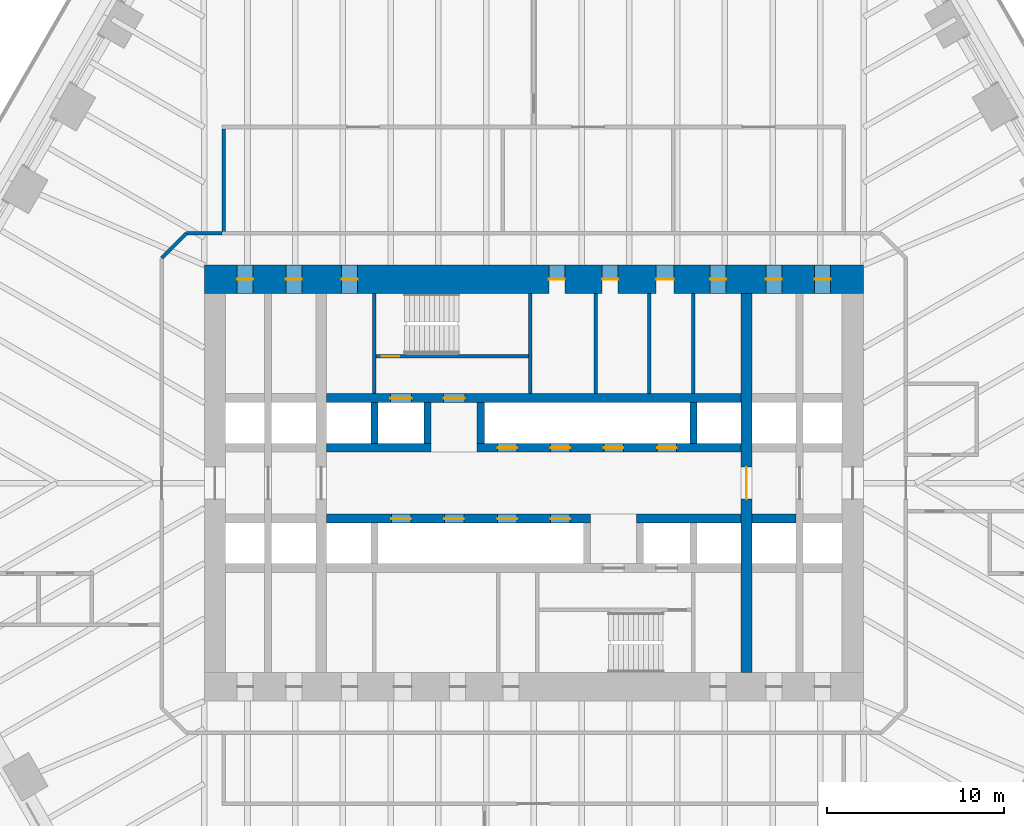
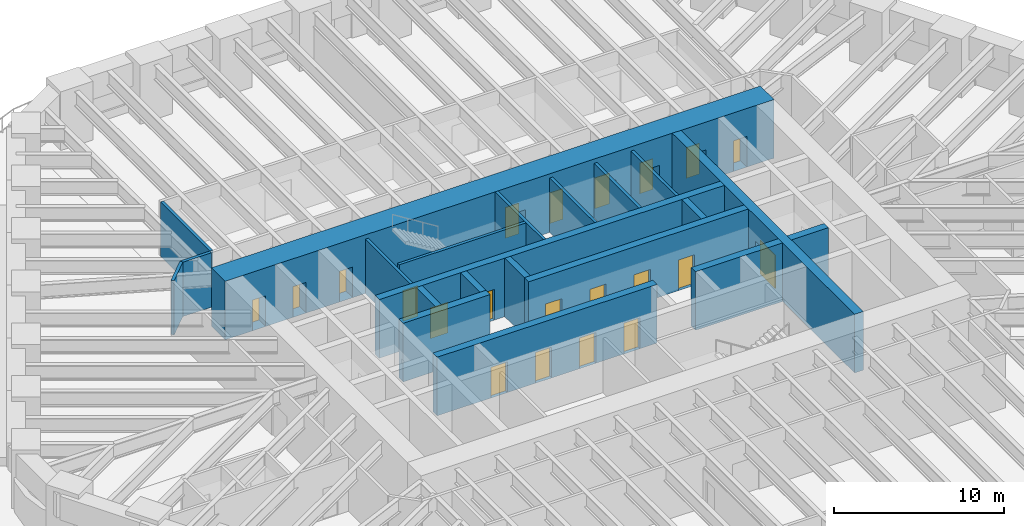
# One storey, part 11 of 16: 21 doors, 21 walls, 21 openings.
"""IFC4 building model written with IfcOpenShell, lengths in metres."""

from ifc_helpers import new_model, si_unit, direction, frame, frame_2d, origin, place, context, subcontext, project, spatial, rectangle, extrude, material, layer, layer_set, type_object, element, fill, save


model = new_model("IFC4")

# Units and contexts
model_context = context("Model", 3, precision=1e-05, world=origin(), true_north=direction((0.0, 1.0)))
body_context = subcontext(model_context, "Body", "Model", "MODEL_VIEW")
ifc_project = project(units=[si_unit("LENGTHUNIT", "METRE"), si_unit("AREAUNIT", "SQUARE_METRE"), si_unit("VOLUMEUNIT", "CUBIC_METRE"), si_unit("PLANEANGLEUNIT", "RADIAN"), si_unit("MASSUNIT", "GRAM", prefix="KILO")], contexts=[model_context])

# Site, building, storey
site_placement = place(None, origin())
site = spatial("IfcSite", under=ifc_project, at=site_placement, CompositionType="ELEMENT")
building_placement = place(site_placement, origin())
building = spatial("IfcBuilding", under=site, at=building_placement, Name="Tarfa Lantern Tower", CompositionType="ELEMENT")
storey_placement = place(building_placement, frame((0.0, 0.0, 103.300048828125)))
storey = spatial("IfcBuildingStorey", under=building, at=storey_placement, Name="L23", CompositionType="ELEMENT", Elevation=103.300048828125)

# Walls
ifc_material_1 = material(Name="Concrete blockwork", Category="masonry")
ifc_layer_1 = layer(ifc_material_1, 0.199951171875)
ifc_layer_set_1 = layer_set([ifc_layer_1], Name="IW1 BLOCKWORK PARTITION 200 EI 120")
wall_type_1 = type_object("IfcWallType", Name="IW1 BLOCKWORK PARTITION 200 EI 120", PredefinedType="PARTITIONING", material=ifc_layer_set_1)
for number, where, z_axis, x_axis, name in (
    (1, (-9.0, 5.050048828125, 0.0), (0.0, 0.0, 1.0), (0.0, 1.0, 0.0), "Core partition"),
    (2, (9.0, 5.050048828125, 0.0), (0.0, 0.0, 1.0), (0.0, 1.0, 0.0), "Core partition"),
    (3, (3.5, 5.050048828125, 0.0), (0.0, 0.0, 1.0), (0.0, 1.0, 0.0), "Core partition"),
    (4, (6.5, 5.050048828125, 0.0), (0.0, 0.0, 1.0), (0.0, 1.0, 0.0), "Core partition"),
):
    element("IfcWall", number, at=place(storey_placement, frame(where, z_axis=z_axis, x_axis=x_axis)), inside=storey, type_object=wall_type_1, Name=name, PredefinedType="PARTITIONING", context=body_context, shape_type="SweptSolid", body=[
        extrude(rectangle(XDim=5.64990234375, YDim=0.199951171875, at=frame_2d((2.824951171875, 0.0))), origin(), (0.0, 0.0, 1.0), 3.89990234375),
    ])
ifc_material_2 = material(Name="Gypsum board on steel studs", Category="steel")
ifc_layer_2 = layer(ifc_material_2, 0.2099609375)
ifc_layer_set_2 = layer_set([ifc_layer_2], Name="IW2 ACOUSTIC PARTITION 200")
wall_type_2 = type_object("IfcWallType", Name="IW2 ACOUSTIC PARTITION 200", PredefinedType="PARTITIONING", material=ifc_layer_set_2)
wall_1_placement = place(storey_placement, frame((-17.5, 14.199951171875, 0.0), z_axis=(0.0, 0.0, 1.0), x_axis=(0.0, 1.0, 0.0)))
element("IfcWall", 5, at=wall_1_placement, inside=storey, type_object=wall_type_2, Name="Partition", PredefinedType="PARTITIONING", context=body_context, shape_type="SweptSolid", body=[
    extrude(rectangle(XDim=5.800048828125, YDim=0.199951171875, at=frame_2d((2.89990234375, 0.0))), origin(), (0.0, 0.0, 1.0), 3.89990234375),
])
wall_2_placement = place(storey_placement, frame((-19.60009765625, 14.10009765625, 0.0), z_axis=(0.0, 0.0, 1.0), x_axis=(1.0, 0.0, 0.0)))
element("IfcWall", 6, at=wall_2_placement, inside=storey, type_object=wall_type_2, Name="Partition", PredefinedType="PARTITIONING", context=body_context, shape_type="SweptSolid", body=[
    extrude(rectangle(XDim=2.0, YDim=0.199951171875, at=frame_2d((1.0, 0.0))), origin(), (0.0, 0.0, 1.0), 3.89990234375),
])
wall_3_placement = place(storey_placement, frame((-21.0, 12.699951171875, 0.0), z_axis=(0.0, 0.0, 1.0), x_axis=(0.707045124756, 0.707168432242, 0.0)))
element("IfcWall", 7, at=wall_3_placement, inside=storey, type_object=wall_type_2, Name="Partition", PredefinedType="PARTITIONING", context=body_context, shape_type="SweptSolid", body=[
    extrude(rectangle(XDim=1.97998046875, YDim=0.199951171875, at=frame_2d((0.989990234375, 0.0))), origin(), (0.0, 0.0, 1.0), 3.89990234375),
])
ifc_material_3 = material(Name="Concrete C80/95", Category="concrete")
ifc_layer_3 = layer(ifc_material_3, 0.199951171875)
ifc_layer_set_3 = layer_set([ifc_layer_3], Name="SW12 CORE WALL 200")
wall_type_3 = type_object("IfcWallType", Name="SW12 CORE WALL 200", PredefinedType="SHEAR", material=ifc_layer_set_3)
wall_4_placement = place(storey_placement, frame((-0.199951171875, 5.050048828125, 0.0), z_axis=(0.0, 0.0, 1.0), x_axis=(0.0, 1.0, 0.0)))
element("IfcWall", 8, at=wall_4_placement, inside=storey, type_object=wall_type_3, Name="Core wall stair shaft N", PredefinedType="SHEAR", context=body_context, shape_type="SweptSolid", body=[
    extrude(rectangle(XDim=5.64990234375, YDim=0.199951171875, at=frame_2d((2.824951171875, 0.0))), origin(), (0.0, 0.0, 1.0), 4.199951171875),
])

# Wall, opening, door
wall_5_placement = place(storey_placement, frame((-8.89990234375, 7.14990234375, 0.0), z_axis=(0.0, 0.0, 1.0), x_axis=(1.0, 0.0, 0.0)))
wall_5 = element("IfcWall", 9, at=wall_5_placement, inside=storey, type_object=wall_type_3, Name="Core wall stair partition N", PredefinedType="SHEAR", context=body_context, shape_type="SweptSolid", body=[
    extrude(rectangle(XDim=8.599853515625, YDim=0.199951171875, at=frame_2d((4.2998046875, 0.0))), origin(), (0.0, 0.0, 1.0), 4.199951171875),
])
opening_1_placement = place(wall_5_placement, frame((0.300048828125, 0.0, 0.0)))
opening_1 = element("IfcOpeningElement", 10, at=opening_1_placement, cuts=wall_5, Name="Opening D23", PredefinedType="OPENING", context=body_context, shape_type="SweptSolid", body=[
    extrude(rectangle(XDim=1.0, YDim=2.199951171875, at=frame_2d((0.5, 1.10009765625))), frame((0.0, 0.10986328125, 0.0), z_axis=(0.0, -1.0, 0.0), x_axis=(1.0, 0.0, 0.0)), (0.0, 0.0, 1.0), 0.219970703125),
])
ifc_material_4 = material(Name="Steel fire door", Category="steel")
door_type_1 = type_object("IfcDoorType", Name="DF2 STAIR DOOR 1000x2200", OperationType="SINGLE_SWING_LEFT", PredefinedType="DOOR", material=ifc_material_4)
door_1_placement = place(opening_1_placement, origin())
door_1 = element("IfcDoor", 11, at=door_1_placement, inside=storey, type_object=door_type_1, Name="Stair door", OperationType="SINGLE_SWING_RIGHT", OverallHeight=2.199951171875, OverallWidth=1.0, PredefinedType="DOOR", context=body_context, shape_type="SweptSolid", body=[
    extrude(rectangle(XDim=1.0, YDim=2.199951171875, at=frame_2d((0.5, 1.10009765625))), frame((0.0, 0.02490234375, 0.0), z_axis=(0.0, -1.0, 0.0), x_axis=(1.0, 0.0, 0.0)), (0.0, 0.0, 1.0), 0.050048828125),
])
fill(opening_1, door_1)

# Wall
ifc_layer_4 = layer(ifc_material_3, 0.5)
ifc_layer_set_4 = layer_set([ifc_layer_4], Name="SW5 CORE WALL 500")
wall_type_4 = type_object("IfcWallType", Name="SW5 CORE WALL 500", PredefinedType="SHEAR", material=ifc_layer_set_4)
wall_6_placement = place(storey_placement, frame((-11.699951171875, 2.0, 0.0), z_axis=(0.0, 0.0, 1.0), x_axis=(1.0, 0.0, 0.0)))
element("IfcWall", 12, at=wall_6_placement, inside=storey, type_object=wall_type_4, Name="Core wall lobby west N", PredefinedType="SHEAR", context=body_context, shape_type="SweptSolid", body=[
    extrude(rectangle(XDim=5.89990234375, YDim=0.5, at=frame_2d((2.949951171875, 0.0))), origin(), (0.0, 0.0, 1.0), 4.199951171875),
])

# Wall, openings, doors
wall_7_placement = place(storey_placement, frame((-3.199951171875, 2.0, 0.0), z_axis=(0.0, 0.0, 1.0), x_axis=(1.0, 0.0, 0.0)))
wall_7 = element("IfcWall", 13, at=wall_7_placement, inside=storey, type_object=wall_type_4, Name="Core wall lobby east N", PredefinedType="SHEAR", context=body_context, shape_type="SweptSolid", body=[
    extrude(rectangle(XDim=14.89990234375, YDim=0.5, at=frame_2d((7.449951171875, 0.0))), origin(), (0.0, 0.0, 1.0), 4.199951171875),
])
opening_2_placement = place(wall_7_placement, frame((1.14990234375, 0.0, 0.0)))
opening_2 = element("IfcOpeningElement", 14, at=opening_2_placement, cuts=wall_7, Name="Opening LD03", PredefinedType="OPENING", context=body_context, shape_type="SweptSolid", body=[
    extrude(rectangle(XDim=1.10009765625, YDim=2.199951171875, at=frame_2d((0.550048828125, 1.10009765625))), frame((0.0, 0.260009765625, 0.0), z_axis=(0.0, -1.0, 0.0), x_axis=(1.0, 0.0, 0.0)), (0.0, 0.0, 1.0), 0.52001953125),
])
opening_3_placement = place(wall_7_placement, frame((4.14990234375, 0.0, 0.0)))
opening_3 = element("IfcOpeningElement", 15, at=opening_3_placement, cuts=wall_7, Name="Opening LD04", PredefinedType="OPENING", context=body_context, shape_type="SweptSolid", body=[
    extrude(rectangle(XDim=1.10009765625, YDim=2.199951171875, at=frame_2d((0.550048828125, 1.10009765625))), frame((0.0, 0.260009765625, 0.0), z_axis=(0.0, -1.0, 0.0), x_axis=(1.0, 0.0, 0.0)), (0.0, 0.0, 1.0), 0.52001953125),
])
opening_4_placement = place(wall_7_placement, frame((7.14990234375, 0.0, 0.0)))
opening_4 = element("IfcOpeningElement", 16, at=opening_4_placement, cuts=wall_7, Name="Opening LD05", PredefinedType="OPENING", context=body_context, shape_type="SweptSolid", body=[
    extrude(rectangle(XDim=1.10009765625, YDim=2.199951171875, at=frame_2d((0.550048828125, 1.10009765625))), frame((0.0, 0.260009765625, 0.0), z_axis=(0.0, -1.0, 0.0), x_axis=(1.0, 0.0, 0.0)), (0.0, 0.0, 1.0), 0.52001953125),
])
opening_5_placement = place(wall_7_placement, frame((10.14990234375, 0.0, 0.0)))
opening_5 = element("IfcOpeningElement", 17, at=opening_5_placement, cuts=wall_7, Name="Opening LD06", PredefinedType="OPENING", context=body_context, shape_type="SweptSolid", body=[
    extrude(rectangle(XDim=1.10009765625, YDim=2.199951171875, at=frame_2d((0.550048828125, 1.10009765625))), frame((0.0, 0.260009765625, 0.0), z_axis=(0.0, -1.0, 0.0), x_axis=(1.0, 0.0, 0.0)), (0.0, 0.0, 1.0), 0.52001953125),
])
ifc_material_5 = material(Name="Stainless steel lift door", Category="steel")
door_type_2 = type_object("IfcDoorType", Name="LD2 LIFT LANDING DOOR 1100x2200", OperationType="SLIDING_TO_LEFT", PredefinedType="DOOR", material=ifc_material_5)
door_2_placement = place(opening_2_placement, frame((1.10009765625, 0.0, 0.0), z_axis=(0.0, 0.0, 1.0), x_axis=(-1.0, 0.0, 0.0)))
door_2 = element("IfcDoor", 18, at=door_2_placement, inside=storey, type_object=door_type_2, Name="Landing door PA1", OperationType="SLIDING_TO_LEFT", OverallHeight=2.199951171875, OverallWidth=1.10009765625, PredefinedType="DOOR", context=body_context, shape_type="SweptSolid", body=[
    extrude(rectangle(XDim=1.10009765625, YDim=2.199951171875, at=frame_2d((0.550048828125, 1.10009765625))), frame((0.0, 0.02490234375, 0.0), z_axis=(0.0, -1.0, 0.0), x_axis=(1.0, 0.0, 0.0)), (0.0, 0.0, 1.0), 0.050048828125),
])
fill(opening_2, door_2)
door_3_placement = place(opening_3_placement, frame((1.10009765625, 0.0, 0.0), z_axis=(0.0, 0.0, 1.0), x_axis=(-1.0, 0.0, 0.0)))
door_3 = element("IfcDoor", 19, at=door_3_placement, inside=storey, type_object=door_type_2, Name="Landing door PA2", OperationType="SLIDING_TO_LEFT", OverallHeight=2.199951171875, OverallWidth=1.10009765625, PredefinedType="DOOR", context=body_context, shape_type="SweptSolid", body=[
    extrude(rectangle(XDim=1.10009765625, YDim=2.199951171875, at=frame_2d((0.550048828125, 1.10009765625))), frame((0.0, 0.02490234375, 0.0), z_axis=(0.0, -1.0, 0.0), x_axis=(1.0, 0.0, 0.0)), (0.0, 0.0, 1.0), 0.050048828125),
])
fill(opening_3, door_3)
door_4_placement = place(opening_4_placement, frame((1.10009765625, 0.0, 0.0), z_axis=(0.0, 0.0, 1.0), x_axis=(-1.0, 0.0, 0.0)))
door_4 = element("IfcDoor", 20, at=door_4_placement, inside=storey, type_object=door_type_2, Name="Landing door PA3", OperationType="SLIDING_TO_LEFT", OverallHeight=2.199951171875, OverallWidth=1.10009765625, PredefinedType="DOOR", context=body_context, shape_type="SweptSolid", body=[
    extrude(rectangle(XDim=1.10009765625, YDim=2.199951171875, at=frame_2d((0.550048828125, 1.10009765625))), frame((0.0, 0.02490234375, 0.0), z_axis=(0.0, -1.0, 0.0), x_axis=(1.0, 0.0, 0.0)), (0.0, 0.0, 1.0), 0.050048828125),
])
fill(opening_4, door_4)
door_5_placement = place(opening_5_placement, frame((1.10009765625, 0.0, 0.0), z_axis=(0.0, 0.0, 1.0), x_axis=(-1.0, 0.0, 0.0)))
door_5 = element("IfcDoor", 21, at=door_5_placement, inside=storey, type_object=door_type_2, Name="Landing door PA4", OperationType="SLIDING_TO_LEFT", OverallHeight=2.199951171875, OverallWidth=1.10009765625, PredefinedType="DOOR", context=body_context, shape_type="SweptSolid", body=[
    extrude(rectangle(XDim=1.10009765625, YDim=2.199951171875, at=frame_2d((0.550048828125, 1.10009765625))), frame((0.0, 0.02490234375, 0.0), z_axis=(0.0, -1.0, 0.0), x_axis=(1.0, 0.0, 0.0)), (0.0, 0.0, 1.0), 0.050048828125),
])
fill(opening_5, door_5)

wall_8_placement = place(storey_placement, frame((-11.699951171875, 4.800048828125, 0.0), z_axis=(0.0, 0.0, 1.0), x_axis=(1.0, 0.0, 0.0)))
wall_8 = element("IfcWall", 22, at=wall_8_placement, inside=storey, type_object=wall_type_4, Name="Core wall rear N", PredefinedType="SHEAR", context=body_context, shape_type="SweptSolid", body=[
    extrude(rectangle(XDim=23.39990234375, YDim=0.5, at=frame_2d((11.699951171875, 0.0))), origin(), (0.0, 0.0, 1.0), 4.199951171875),
])
opening_6_placement = place(wall_8_placement, frame((6.60009765625, 0.0, 0.0)))
opening_6 = element("IfcOpeningElement", 23, at=opening_6_placement, cuts=wall_8, Name="Opening D13", PredefinedType="OPENING", context=body_context, shape_type="SweptSolid", body=[
    extrude(rectangle(XDim=1.199951171875, YDim=2.199951171875, at=frame_2d((0.60009765625, 1.10009765625))), frame((0.0, 0.260009765625, 0.0), z_axis=(0.0, -1.0, 0.0), x_axis=(1.0, 0.0, 0.0)), (0.0, 0.0, 1.0), 0.52001953125),
])
opening_7_placement = place(wall_8_placement, frame((3.60009765625, 0.0, 0.0)))
opening_7 = element("IfcOpeningElement", 24, at=opening_7_placement, cuts=wall_8, Name="Opening LD01", PredefinedType="OPENING", context=body_context, shape_type="SweptSolid", body=[
    extrude(rectangle(XDim=1.199951171875, YDim=2.199951171875, at=frame_2d((0.60009765625, 1.10009765625))), frame((0.0, 0.260009765625, 0.0), z_axis=(0.0, -1.0, 0.0), x_axis=(1.0, 0.0, 0.0)), (0.0, 0.0, 1.0), 0.52001953125),
])
door_type_3 = type_object("IfcDoorType", Name="DF1 FIREFIGHTING LOBBY DOOR 1200x2200", OperationType="SINGLE_SWING_LEFT", PredefinedType="DOOR", material=ifc_material_4)
door_6_placement = place(opening_6_placement, origin())
door_6 = element("IfcDoor", 25, at=door_6_placement, inside=storey, type_object=door_type_3, Name="Firefighting lobby door", OperationType="SINGLE_SWING_LEFT", OverallHeight=2.199951171875, OverallWidth=1.199951171875, PredefinedType="DOOR", context=body_context, shape_type="SweptSolid", body=[
    extrude(rectangle(XDim=1.199951171875, YDim=2.199951171875, at=frame_2d((0.60009765625, 1.10009765625))), frame((0.0, 0.02490234375, 0.0), z_axis=(0.0, -1.0, 0.0), x_axis=(1.0, 0.0, 0.0)), (0.0, 0.0, 1.0), 0.050048828125),
])
fill(opening_6, door_6)
door_type_4 = type_object("IfcDoorType", Name="LD1 LIFT LANDING DOOR 1200x2200", OperationType="SLIDING_TO_LEFT", PredefinedType="DOOR", material=ifc_material_5)
door_7_placement = place(opening_7_placement, origin())
door_7 = element("IfcDoor", 26, at=door_7_placement, inside=storey, type_object=door_type_4, Name="Landing door FL1", OperationType="SLIDING_TO_LEFT", OverallHeight=2.199951171875, OverallWidth=1.199951171875, PredefinedType="DOOR", context=body_context, shape_type="SweptSolid", body=[
    extrude(rectangle(XDim=1.199951171875, YDim=2.199951171875, at=frame_2d((0.60009765625, 1.10009765625))), frame((0.0, 0.02490234375, 0.0), z_axis=(0.0, -1.0, 0.0), x_axis=(1.0, 0.0, 0.0)), (0.0, 0.0, 1.0), 0.050048828125),
])
fill(opening_7, door_7)

# Walls
wall_9_placement = place(storey_placement, frame((14.800048828125, -2.0, 0.0), z_axis=(0.0, 0.0, 1.0), x_axis=(-1.0, 0.0, 0.0)))
element("IfcWall", 27, at=wall_9_placement, inside=storey, type_object=wall_type_4, Name="Core wall lobby west S", PredefinedType="SHEAR", context=body_context, shape_type="SweptSolid", body=[
    extrude(rectangle(XDim=2.5, YDim=0.5, at=frame_2d((1.25, 0.0))), origin(), (0.0, 0.0, 1.0), 4.199951171875),
])
wall_10_placement = place(storey_placement, frame((11.699951171875, -2.0, 0.0), z_axis=(0.0, 0.0, 1.0), x_axis=(-1.0, 0.0, 0.0)))
element("IfcWall", 28, at=wall_10_placement, inside=storey, type_object=wall_type_4, Name="Core wall lobby west S", PredefinedType="SHEAR", context=body_context, shape_type="SweptSolid", body=[
    extrude(rectangle(XDim=5.89990234375, YDim=0.5, at=frame_2d((2.949951171875, 0.0))), origin(), (0.0, 0.0, 1.0), 4.199951171875),
])

# Wall, openings, doors
wall_11_placement = place(storey_placement, frame((3.199951171875, -2.0, 0.0), z_axis=(0.0, 0.0, 1.0), x_axis=(-1.0, 0.0, 0.0)))
wall_11 = element("IfcWall", 29, at=wall_11_placement, inside=storey, type_object=wall_type_4, Name="Core wall lobby east S", PredefinedType="SHEAR", context=body_context, shape_type="SweptSolid", body=[
    extrude(rectangle(XDim=14.89990234375, YDim=0.5, at=frame_2d((7.449951171875, 0.0))), origin(), (0.0, 0.0, 1.0), 4.199951171875),
])
opening_8_placement = place(wall_11_placement, frame((1.14990234375, 0.0, 0.0)))
opening_8 = element("IfcOpeningElement", 30, at=opening_8_placement, cuts=wall_11, Name="Opening LD07", PredefinedType="OPENING", context=body_context, shape_type="SweptSolid", body=[
    extrude(rectangle(XDim=1.10009765625, YDim=2.199951171875, at=frame_2d((0.550048828125, 1.10009765625))), frame((0.0, 0.260009765625, 0.0), z_axis=(0.0, -1.0, 0.0), x_axis=(1.0, 0.0, 0.0)), (0.0, 0.0, 1.0), 0.52001953125),
])
opening_9_placement = place(wall_11_placement, frame((4.14990234375, 0.0, 0.0)))
opening_9 = element("IfcOpeningElement", 31, at=opening_9_placement, cuts=wall_11, Name="Opening LD08", PredefinedType="OPENING", context=body_context, shape_type="SweptSolid", body=[
    extrude(rectangle(XDim=1.10009765625, YDim=2.199951171875, at=frame_2d((0.550048828125, 1.10009765625))), frame((0.0, 0.260009765625, 0.0), z_axis=(0.0, -1.0, 0.0), x_axis=(1.0, 0.0, 0.0)), (0.0, 0.0, 1.0), 0.52001953125),
])
opening_10_placement = place(wall_11_placement, frame((7.14990234375, 0.0, 0.0)))
opening_10 = element("IfcOpeningElement", 32, at=opening_10_placement, cuts=wall_11, Name="Opening LD09", PredefinedType="OPENING", context=body_context, shape_type="SweptSolid", body=[
    extrude(rectangle(XDim=1.10009765625, YDim=2.199951171875, at=frame_2d((0.550048828125, 1.10009765625))), frame((0.0, 0.260009765625, 0.0), z_axis=(0.0, -1.0, 0.0), x_axis=(1.0, 0.0, 0.0)), (0.0, 0.0, 1.0), 0.52001953125),
])
opening_11_placement = place(wall_11_placement, frame((10.14990234375, 0.0, 0.0)))
opening_11 = element("IfcOpeningElement", 33, at=opening_11_placement, cuts=wall_11, Name="Opening LD10", PredefinedType="OPENING", context=body_context, shape_type="SweptSolid", body=[
    extrude(rectangle(XDim=1.10009765625, YDim=2.199951171875, at=frame_2d((0.550048828125, 1.10009765625))), frame((0.0, 0.260009765625, 0.0), z_axis=(0.0, -1.0, 0.0), x_axis=(1.0, 0.0, 0.0)), (0.0, 0.0, 1.0), 0.52001953125),
])
door_8_placement = place(opening_8_placement, frame((1.10009765625, 0.0, 0.0), z_axis=(0.0, 0.0, 1.0), x_axis=(-1.0, 0.0, 0.0)))
door_8 = element("IfcDoor", 34, at=door_8_placement, inside=storey, type_object=door_type_2, Name="Landing door PA5", OperationType="SLIDING_TO_LEFT", OverallHeight=2.199951171875, OverallWidth=1.10009765625, PredefinedType="DOOR", context=body_context, shape_type="SweptSolid", body=[
    extrude(rectangle(XDim=1.10009765625, YDim=2.199951171875, at=frame_2d((0.550048828125, 1.10009765625))), frame((0.0, 0.02490234375, 0.0), z_axis=(0.0, -1.0, 0.0), x_axis=(1.0, 0.0, 0.0)), (0.0, 0.0, 1.0), 0.050048828125),
])
fill(opening_8, door_8)
door_9_placement = place(opening_9_placement, frame((1.10009765625, 0.0, 0.0), z_axis=(0.0, 0.0, 1.0), x_axis=(-1.0, 0.0, 0.0)))
door_9 = element("IfcDoor", 35, at=door_9_placement, inside=storey, type_object=door_type_2, Name="Landing door PA6", OperationType="SLIDING_TO_LEFT", OverallHeight=2.199951171875, OverallWidth=1.10009765625, PredefinedType="DOOR", context=body_context, shape_type="SweptSolid", body=[
    extrude(rectangle(XDim=1.10009765625, YDim=2.199951171875, at=frame_2d((0.550048828125, 1.10009765625))), frame((0.0, 0.02490234375, 0.0), z_axis=(0.0, -1.0, 0.0), x_axis=(1.0, 0.0, 0.0)), (0.0, 0.0, 1.0), 0.050048828125),
])
fill(opening_9, door_9)
door_10_placement = place(opening_10_placement, frame((1.10009765625, 0.0, 0.0), z_axis=(0.0, 0.0, 1.0), x_axis=(-1.0, 0.0, 0.0)))
door_10 = element("IfcDoor", 36, at=door_10_placement, inside=storey, type_object=door_type_2, Name="Landing door PA7", OperationType="SLIDING_TO_LEFT", OverallHeight=2.199951171875, OverallWidth=1.10009765625, PredefinedType="DOOR", context=body_context, shape_type="SweptSolid", body=[
    extrude(rectangle(XDim=1.10009765625, YDim=2.199951171875, at=frame_2d((0.550048828125, 1.10009765625))), frame((0.0, 0.02490234375, 0.0), z_axis=(0.0, -1.0, 0.0), x_axis=(1.0, 0.0, 0.0)), (0.0, 0.0, 1.0), 0.050048828125),
])
fill(opening_10, door_10)
door_11_placement = place(opening_11_placement, frame((1.10009765625, 0.0, 0.0), z_axis=(0.0, 0.0, 1.0), x_axis=(-1.0, 0.0, 0.0)))
door_11 = element("IfcDoor", 37, at=door_11_placement, inside=storey, type_object=door_type_2, Name="Landing door PA8", OperationType="SLIDING_TO_LEFT", OverallHeight=2.199951171875, OverallWidth=1.10009765625, PredefinedType="DOOR", context=body_context, shape_type="SweptSolid", body=[
    extrude(rectangle(XDim=1.10009765625, YDim=2.199951171875, at=frame_2d((0.550048828125, 1.10009765625))), frame((0.0, 0.02490234375, 0.0), z_axis=(0.0, -1.0, 0.0), x_axis=(1.0, 0.0, 0.0)), (0.0, 0.0, 1.0), 0.050048828125),
])
fill(opening_11, door_11)

# Walls
ifc_layer_5 = layer(ifc_material_3, 0.39990234375)
ifc_layer_set_5 = layer_set([ifc_layer_5], Name="SW6 CORE WALL 400")
wall_type_5 = type_object("IfcWallType", Name="SW6 CORE WALL 400", PredefinedType="SHEAR", material=ifc_layer_set_5)
for number, where, z_axis, x_axis, name in (
    (38, (-9.0, 2.25, 0.0), (0.0, 0.0, 1.0), (0.0, 1.0, 0.0), "Core wall divider N"),
    (39, (-6.0, 2.25, 0.0), (0.0, 0.0, 1.0), (0.0, 1.0, 0.0), "Core wall divider N"),
    (40, (-3.0, 2.25, 0.0), (0.0, 0.0, 1.0), (0.0, 1.0, 0.0), "Core wall divider N"),
    (41, (9.0, 2.25, 0.0), (0.0, 0.0, 1.0), (0.0, 1.0, 0.0), "Core wall divider N"),
):
    element("IfcWall", number, at=place(storey_placement, frame(where, z_axis=z_axis, x_axis=x_axis)), inside=storey, type_object=wall_type_5, Name=name, PredefinedType="SHEAR", context=body_context, shape_type="SweptSolid", body=[
        extrude(rectangle(XDim=2.300048828125, YDim=0.39990234375, at=frame_2d((1.14990234375, 0.0))), origin(), (0.0, 0.0, 1.0), 4.199951171875),
    ])

# Wall, openings, doors
ifc_layer_6 = layer(ifc_material_3, 1.60009765625)
ifc_layer_set_6 = layer_set([ifc_layer_6], Name="SW7 CORE WALL 1600")
wall_type_6 = type_object("IfcWallType", Name="SW7 CORE WALL 1600", PredefinedType="SHEAR", material=ifc_layer_set_6)
wall_12_placement = place(storey_placement, frame((-18.60009765625, 11.5, 0.0), z_axis=(0.0, 0.0, 1.0), x_axis=(1.0, 0.0, 0.0)))
wall_12 = element("IfcWall", 42, at=wall_12_placement, inside=storey, type_object=wall_type_6, Name="Core wall N", PredefinedType="SHEAR", context=body_context, shape_type="SweptSolid", body=[
    extrude(rectangle(XDim=37.2001953125, YDim=1.60009765625, at=frame_2d((18.60009765625, 0.0))), origin(), (0.0, 0.0, 1.0), 4.199951171875),
])
opening_12_placement = place(wall_12_placement, frame((19.449951171875, 0.0, 0.0)))
opening_12 = element("IfcOpeningElement", 43, at=opening_12_placement, cuts=wall_12, Name="Opening D17", PredefinedType="OPENING", context=body_context, shape_type="SweptSolid", body=[
    extrude(rectangle(XDim=0.89990234375, YDim=2.199951171875, at=frame_2d((0.449951171875, 1.10009765625))), frame((0.0, 0.81005859375, 0.0), z_axis=(0.0, -1.0, 0.0), x_axis=(1.0, 0.0, 0.0)), (0.0, 0.0, 1.0), 1.6201171875),
])
opening_13_placement = place(wall_12_placement, frame((22.449951171875, 0.0, 0.0)))
opening_13 = element("IfcOpeningElement", 44, at=opening_13_placement, cuts=wall_12, Name="Opening D19", PredefinedType="OPENING", context=body_context, shape_type="SweptSolid", body=[
    extrude(rectangle(XDim=0.89990234375, YDim=2.199951171875, at=frame_2d((0.449951171875, 1.10009765625))), frame((0.0, 0.81005859375, 0.0), z_axis=(0.0, -1.0, 0.0), x_axis=(1.0, 0.0, 0.0)), (0.0, 0.0, 1.0), 1.6201171875),
])
opening_14_placement = place(wall_12_placement, frame((25.5, 0.0, 0.0)))
opening_14 = element("IfcOpeningElement", 45, at=opening_14_placement, cuts=wall_12, Name="Opening D21", PredefinedType="OPENING", context=body_context, shape_type="SweptSolid", body=[
    extrude(rectangle(XDim=1.0, YDim=2.199951171875, at=frame_2d((0.5, 1.10009765625))), frame((0.0, 0.81005859375, 0.0), z_axis=(0.0, -1.0, 0.0), x_axis=(1.0, 0.0, 0.0)), (0.0, 0.0, 1.0), 1.6201171875),
])
opening_15_placement = place(wall_12_placement, frame((1.85009765625, 0.0, 0.0)))
opening_15 = element("IfcOpeningElement", 46, at=opening_15_placement, cuts=wall_12, Name="Opening D11", PredefinedType="OPENING", context=body_context, shape_type="SweptSolid", body=[
    extrude(rectangle(XDim=0.89990234375, YDim=2.199951171875, at=frame_2d((0.449951171875, 1.10009765625))), frame((0.0, 0.81005859375, 0.0), z_axis=(0.0, -1.0, 0.0), x_axis=(1.0, 0.0, 0.0)), (0.0, 0.0, 1.0), 1.6201171875),
])
opening_16_placement = place(wall_12_placement, frame((4.60009765625, 0.0, 0.0)))
opening_16 = element("IfcOpeningElement", 47, at=opening_16_placement, cuts=wall_12, Name="Opening D07", PredefinedType="OPENING", context=body_context, shape_type="SweptSolid", body=[
    extrude(rectangle(XDim=0.89990234375, YDim=2.199951171875, at=frame_2d((0.449951171875, 1.10009765625))), frame((0.0, 0.81005859375, 0.0), z_axis=(0.0, -1.0, 0.0), x_axis=(1.0, 0.0, 0.0)), (0.0, 0.0, 1.0), 1.6201171875),
])
opening_17_placement = place(wall_12_placement, frame((7.75, 0.0, 0.0)))
opening_17 = element("IfcOpeningElement", 48, at=opening_17_placement, cuts=wall_12, Name="Opening D09", PredefinedType="OPENING", context=body_context, shape_type="SweptSolid", body=[
    extrude(rectangle(XDim=0.89990234375, YDim=2.199951171875, at=frame_2d((0.449951171875, 1.10009765625))), frame((0.0, 0.81005859375, 0.0), z_axis=(0.0, -1.0, 0.0), x_axis=(1.0, 0.0, 0.0)), (0.0, 0.0, 1.0), 1.6201171875),
])
opening_18_placement = place(wall_12_placement, frame((28.550048828125, 0.0, 0.0)))
opening_18 = element("IfcOpeningElement", 49, at=opening_18_placement, cuts=wall_12, Name="Opening D05", PredefinedType="OPENING", context=body_context, shape_type="SweptSolid", body=[
    extrude(rectangle(XDim=0.89990234375, YDim=2.199951171875, at=frame_2d((0.449951171875, 1.10009765625))), frame((0.0, 0.81005859375, 0.0), z_axis=(0.0, -1.0, 0.0), x_axis=(1.0, 0.0, 0.0)), (0.0, 0.0, 1.0), 1.6201171875),
])
opening_19_placement = place(wall_12_placement, frame((31.699951171875, 0.0, 0.0)))
opening_19 = element("IfcOpeningElement", 50, at=opening_19_placement, cuts=wall_12, Name="Opening D01", PredefinedType="OPENING", context=body_context, shape_type="SweptSolid", body=[
    extrude(rectangle(XDim=0.89990234375, YDim=2.199951171875, at=frame_2d((0.449951171875, 1.10009765625))), frame((0.0, 0.81005859375, 0.0), z_axis=(0.0, -1.0, 0.0), x_axis=(1.0, 0.0, 0.0)), (0.0, 0.0, 1.0), 1.6201171875),
])
opening_20_placement = place(wall_12_placement, frame((34.449951171875, 0.0, 0.0)))
opening_20 = element("IfcOpeningElement", 51, at=opening_20_placement, cuts=wall_12, Name="Opening D03", PredefinedType="OPENING", context=body_context, shape_type="SweptSolid", body=[
    extrude(rectangle(XDim=0.89990234375, YDim=2.199951171875, at=frame_2d((0.449951171875, 1.10009765625))), frame((0.0, 0.81005859375, 0.0), z_axis=(0.0, -1.0, 0.0), x_axis=(1.0, 0.0, 0.0)), (0.0, 0.0, 1.0), 1.6201171875),
])
door_type_5 = type_object("IfcDoorType", Name="DF3 CORE ROOM DOOR 900x2200", OperationType="SINGLE_SWING_LEFT", PredefinedType="DOOR", material=ifc_material_4)
door_12_placement = place(opening_12_placement, frame((0.89990234375, 0.0, 0.0), z_axis=(0.0, 0.0, 1.0), x_axis=(-1.0, 0.0, 0.0)))
door_12 = element("IfcDoor", 52, at=door_12_placement, inside=storey, type_object=door_type_5, Name="Core door", OperationType="SINGLE_SWING_LEFT", OverallHeight=2.199951171875, OverallWidth=0.89990234375, PredefinedType="DOOR", context=body_context, shape_type="SweptSolid", body=[
    extrude(rectangle(XDim=0.89990234375, YDim=2.199951171875, at=frame_2d((0.449951171875, 1.10009765625))), frame((0.0, 0.02490234375, 0.0), z_axis=(0.0, -1.0, 0.0), x_axis=(1.0, 0.0, 0.0)), (0.0, 0.0, 1.0), 0.050048828125),
])
fill(opening_12, door_12)
door_13_placement = place(opening_13_placement, frame((0.89990234375, 0.0, 0.0), z_axis=(0.0, 0.0, 1.0), x_axis=(-1.0, 0.0, 0.0)))
door_13 = element("IfcDoor", 53, at=door_13_placement, inside=storey, type_object=door_type_5, Name="Core door", OperationType="SINGLE_SWING_LEFT", OverallHeight=2.199951171875, OverallWidth=0.89990234375, PredefinedType="DOOR", context=body_context, shape_type="SweptSolid", body=[
    extrude(rectangle(XDim=0.89990234375, YDim=2.199951171875, at=frame_2d((0.449951171875, 1.10009765625))), frame((0.0, 0.02490234375, 0.0), z_axis=(0.0, -1.0, 0.0), x_axis=(1.0, 0.0, 0.0)), (0.0, 0.0, 1.0), 0.050048828125),
])
fill(opening_13, door_13)
door_type_6 = type_object("IfcDoorType", Name="DF4 CORE ROOM DOOR 1000x2200", OperationType="SINGLE_SWING_LEFT", PredefinedType="DOOR", material=ifc_material_4)
door_14_placement = place(opening_14_placement, frame((1.0, 0.0, 0.0), z_axis=(0.0, 0.0, 1.0), x_axis=(-1.0, 0.0, 0.0)))
door_14 = element("IfcDoor", 54, at=door_14_placement, inside=storey, type_object=door_type_6, Name="Core door", OperationType="SINGLE_SWING_LEFT", OverallHeight=2.199951171875, OverallWidth=1.0, PredefinedType="DOOR", context=body_context, shape_type="SweptSolid", body=[
    extrude(rectangle(XDim=1.0, YDim=2.199951171875, at=frame_2d((0.5, 1.10009765625))), frame((0.0, 0.02490234375, 0.0), z_axis=(0.0, -1.0, 0.0), x_axis=(1.0, 0.0, 0.0)), (0.0, 0.0, 1.0), 0.050048828125),
])
fill(opening_14, door_14)
door_type_7 = type_object("IfcDoorType", Name="DF5 RISER DOOR 900x2200", OperationType="SINGLE_SWING_LEFT", PredefinedType="DOOR", material=ifc_material_4)
door_15_placement = place(opening_15_placement, frame((0.89990234375, 0.0, 0.0), z_axis=(0.0, 0.0, 1.0), x_axis=(-1.0, 0.0, 0.0)))
door_15 = element("IfcDoor", 55, at=door_15_placement, inside=storey, type_object=door_type_7, Name="Riser door", OperationType="SINGLE_SWING_LEFT", OverallHeight=2.199951171875, OverallWidth=0.89990234375, PredefinedType="DOOR", context=body_context, shape_type="SweptSolid", body=[
    extrude(rectangle(XDim=0.89990234375, YDim=2.199951171875, at=frame_2d((0.449951171875, 1.10009765625))), frame((0.0, 0.02490234375, 0.0), z_axis=(0.0, -1.0, 0.0), x_axis=(1.0, 0.0, 0.0)), (0.0, 0.0, 1.0), 0.050048828125),
])
fill(opening_15, door_15)
door_16_placement = place(opening_16_placement, frame((0.89990234375, 0.0, 0.0), z_axis=(0.0, 0.0, 1.0), x_axis=(-1.0, 0.0, 0.0)))
door_16 = element("IfcDoor", 56, at=door_16_placement, inside=storey, type_object=door_type_7, Name="Riser door", OperationType="SINGLE_SWING_LEFT", OverallHeight=2.199951171875, OverallWidth=0.89990234375, PredefinedType="DOOR", context=body_context, shape_type="SweptSolid", body=[
    extrude(rectangle(XDim=0.89990234375, YDim=2.199951171875, at=frame_2d((0.449951171875, 1.10009765625))), frame((0.0, 0.02490234375, 0.0), z_axis=(0.0, -1.0, 0.0), x_axis=(1.0, 0.0, 0.0)), (0.0, 0.0, 1.0), 0.050048828125),
])
fill(opening_16, door_16)
door_17_placement = place(opening_17_placement, frame((0.89990234375, 0.0, 0.0), z_axis=(0.0, 0.0, 1.0), x_axis=(-1.0, 0.0, 0.0)))
door_17 = element("IfcDoor", 57, at=door_17_placement, inside=storey, type_object=door_type_7, Name="Riser door", OperationType="SINGLE_SWING_LEFT", OverallHeight=2.199951171875, OverallWidth=0.89990234375, PredefinedType="DOOR", context=body_context, shape_type="SweptSolid", body=[
    extrude(rectangle(XDim=0.89990234375, YDim=2.199951171875, at=frame_2d((0.449951171875, 1.10009765625))), frame((0.0, 0.02490234375, 0.0), z_axis=(0.0, -1.0, 0.0), x_axis=(1.0, 0.0, 0.0)), (0.0, 0.0, 1.0), 0.050048828125),
])
fill(opening_17, door_17)
door_18_placement = place(opening_18_placement, frame((0.89990234375, 0.0, 0.0), z_axis=(0.0, 0.0, 1.0), x_axis=(-1.0, 0.0, 0.0)))
door_18 = element("IfcDoor", 58, at=door_18_placement, inside=storey, type_object=door_type_7, Name="Riser door", OperationType="SINGLE_SWING_RIGHT", OverallHeight=2.199951171875, OverallWidth=0.89990234375, PredefinedType="DOOR", context=body_context, shape_type="SweptSolid", body=[
    extrude(rectangle(XDim=0.89990234375, YDim=2.199951171875, at=frame_2d((0.449951171875, 1.10009765625))), frame((0.0, 0.02490234375, 0.0), z_axis=(0.0, -1.0, 0.0), x_axis=(1.0, 0.0, 0.0)), (0.0, 0.0, 1.0), 0.050048828125),
])
fill(opening_18, door_18)
door_19_placement = place(opening_19_placement, frame((0.89990234375, 0.0, 0.0), z_axis=(0.0, 0.0, 1.0), x_axis=(-1.0, 0.0, 0.0)))
door_19 = element("IfcDoor", 59, at=door_19_placement, inside=storey, type_object=door_type_7, Name="Riser door", OperationType="SINGLE_SWING_RIGHT", OverallHeight=2.199951171875, OverallWidth=0.89990234375, PredefinedType="DOOR", context=body_context, shape_type="SweptSolid", body=[
    extrude(rectangle(XDim=0.89990234375, YDim=2.199951171875, at=frame_2d((0.449951171875, 1.10009765625))), frame((0.0, 0.02490234375, 0.0), z_axis=(0.0, -1.0, 0.0), x_axis=(1.0, 0.0, 0.0)), (0.0, 0.0, 1.0), 0.050048828125),
])
fill(opening_19, door_19)
door_20_placement = place(opening_20_placement, frame((0.89990234375, 0.0, 0.0), z_axis=(0.0, 0.0, 1.0), x_axis=(-1.0, 0.0, 0.0)))
door_20 = element("IfcDoor", 60, at=door_20_placement, inside=storey, type_object=door_type_7, Name="Riser door", OperationType="SINGLE_SWING_RIGHT", OverallHeight=2.199951171875, OverallWidth=0.89990234375, PredefinedType="DOOR", context=body_context, shape_type="SweptSolid", body=[
    extrude(rectangle(XDim=0.89990234375, YDim=2.199951171875, at=frame_2d((0.449951171875, 1.10009765625))), frame((0.0, 0.02490234375, 0.0), z_axis=(0.0, -1.0, 0.0), x_axis=(1.0, 0.0, 0.0)), (0.0, 0.0, 1.0), 0.050048828125),
])
fill(opening_20, door_20)

# Wall, opening, door
ifc_layer_7 = layer(ifc_material_3, 0.60009765625)
ifc_layer_set_7 = layer_set([ifc_layer_7], Name="SW9 CORE WALL 600")
wall_type_7 = type_object("IfcWallType", Name="SW9 CORE WALL 600", PredefinedType="SHEAR", material=ifc_layer_set_7)
wall_13_placement = place(storey_placement, frame((12.0, -10.699951171875, 0.0), z_axis=(0.0, 0.0, 1.0), x_axis=(0.0, 1.0, 0.0)))
wall_13 = element("IfcWall", 61, at=wall_13_placement, inside=storey, type_object=wall_type_7, Name="Core wall cross 12 m east", PredefinedType="SHEAR", context=body_context, shape_type="SweptSolid", body=[
    extrude(rectangle(XDim=21.39990234375, YDim=0.60009765625, at=frame_2d((10.699951171875, 0.0))), origin(), (0.0, 0.0, 1.0), 4.199951171875),
])
opening_21_placement = place(wall_13_placement, frame((9.800048828125, 0.0, 0.0)))
opening_21 = element("IfcOpeningElement", 62, at=opening_21_placement, cuts=wall_13, Name="Opening D25", PredefinedType="OPENING", context=body_context, shape_type="SweptSolid", body=[
    extrude(rectangle(XDim=1.800048828125, YDim=2.39990234375, at=frame_2d((0.89990234375, 1.199951171875))), frame((0.0, 0.31005859375, 0.0), z_axis=(0.0, -1.0, 0.0), x_axis=(1.0, 0.0, 0.0)), (0.0, 0.0, 1.0), 0.6201171875),
])
door_type_8 = type_object("IfcDoorType", Name="DL1 LOBBY DOOR 1800x2400", OperationType="DOUBLE_DOOR_SINGLE_SWING", PredefinedType="DOOR", material=ifc_material_4)
door_21_placement = place(opening_21_placement, origin())
door_21 = element("IfcDoor", 63, at=door_21_placement, inside=storey, type_object=door_type_8, Name="Lift lobby door", OperationType="DOUBLE_DOOR_SINGLE_SWING", OverallHeight=2.39990234375, OverallWidth=1.800048828125, PredefinedType="DOOR", context=body_context, shape_type="SweptSolid", body=[
    extrude(rectangle(XDim=1.800048828125, YDim=2.39990234375, at=frame_2d((0.89990234375, 1.199951171875))), frame((0.0, 0.02490234375, 0.0), z_axis=(0.0, -1.0, 0.0), x_axis=(1.0, 0.0, 0.0)), (0.0, 0.0, 1.0), 0.050048828125),
])
fill(opening_21, door_21)

save(model, "model.ifc")
